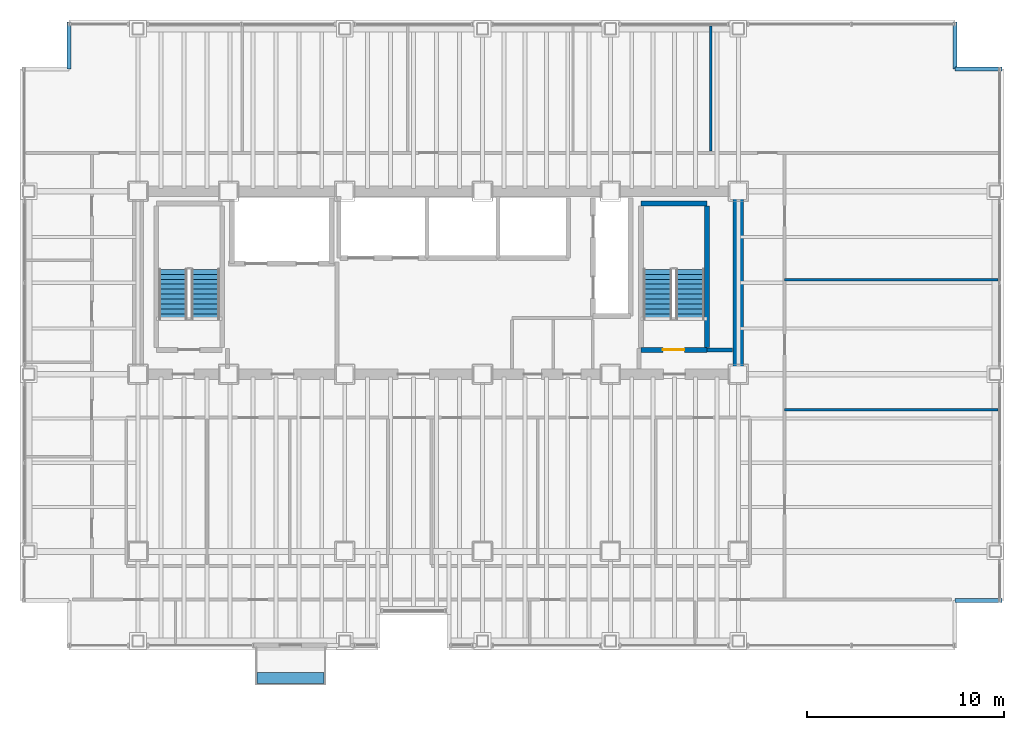
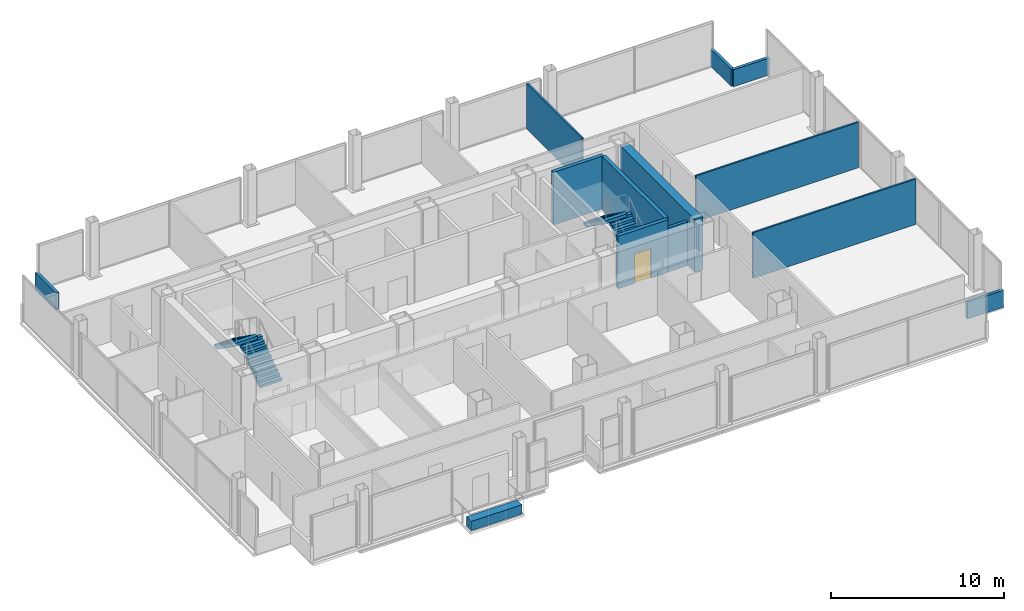
# One storey, part 19 of 20: 12 walls, 4 stair flights, 1 discrete accessory, 1 door, 1 opening, 2 elements without a shape of their own.
"""IFC4 building model written with IfcOpenShell, lengths in metres."""

from ifc_helpers import new_model, si_unit, direction, frame, frame_2d, origin, origin_2d, place, context, subcontext, project, spatial, polyline, rectangle, outline, extrude, material, layer, layer_set, type_object, element, fill, aggregate, save


model = new_model("IFC4")

# Units and contexts
model_context = context("Model", 3, precision=1e-05, world=origin(), true_north=direction((0.0, 1.0)))
body_context = subcontext(model_context, "Body", "Model", "MODEL_VIEW")
ifc_project = project(units=[si_unit("LENGTHUNIT", "METRE"), si_unit("AREAUNIT", "SQUARE_METRE"), si_unit("VOLUMEUNIT", "CUBIC_METRE"), si_unit("PLANEANGLEUNIT", "RADIAN"), si_unit("MASSUNIT", "GRAM", prefix="KILO")], contexts=[model_context])

# Site, building, storey
site_placement = place(None, origin())
site = spatial("IfcSite", under=ifc_project, at=site_placement, CompositionType="ELEMENT")
building_placement = place(site_placement, origin())
building = spatial("IfcBuilding", under=site, at=building_placement, Name="Noeulbin Bourse Tower", CompositionType="ELEMENT")
storey_placement = place(building_placement, frame((0.0, 0.0, 61.60009765625)))
storey = spatial("IfcBuildingStorey", under=building, at=storey_placement, Name="L15", CompositionType="ELEMENT", Elevation=61.60009765625)

# Walls
ifc_material_1 = material(Name="Concrete C60/75", Category="concrete")
ifc_layer_1 = layer(ifc_material_1, 0.550048828125)
ifc_layer_set_1 = layer_set([ifc_layer_1], Name="Concrete C60/75")
wall_type_1 = type_object("IfcWallType", Name="WAL-CORE-550", PredefinedType="SHEAR", material=ifc_layer_set_1)
wall_1_placement = place(storey_placement, frame((44.0, 29.35009765625, 0.0), z_axis=(0.0, 0.0, 1.0), x_axis=(0.0, 1.0, 0.0)))
element("IfcWall", 1, at=wall_1_placement, inside=storey, type_object=wall_type_1, Name="Rear Core East Shear Wall L15", PredefinedType="SHEAR", context=body_context, shape_type="SweptSolid", body=[
    extrude(rectangle(XDim=8.599853515625, YDim=0.550048828125, at=frame_2d((4.2998046875, 0.0))), origin(), (0.0, 0.0, 1.0), 3.719970703125),
])
ifc_material_2 = material(Name="Concrete C40/50", Category="concrete")
ifc_layer_2 = layer(ifc_material_2, 0.199951171875)
ifc_layer_set_2 = layer_set([ifc_layer_2], Name="Concrete C40/50")
wall_type_2 = type_object("IfcWallType", Name="WAL-FIRE-200", PredefinedType="STANDARD", material=ifc_layer_set_2)
wall_2_placement = place(storey_placement, frame((42.39990234375, 30.239990234375, 0.0), z_axis=(0.0, 0.0, 1.0), x_axis=(1.0, 0.0, 0.0)))
element("IfcWall", 2, at=wall_2_placement, inside=storey, type_object=wall_type_2, Name="Interior Partition Wall L15-01", PredefinedType="STANDARD", context=body_context, shape_type="SweptSolid", body=[
    extrude(rectangle(XDim=1.315185546875, YDim=0.199951171875, at=frame_2d((0.65771484375, 0.0))), origin(), (0.0, 0.0, 1.0), 3.099853515625),
])
ifc_layer_3 = layer(ifc_material_2, 0.199951171875)
ifc_layer_set_3 = layer_set([ifc_layer_3], Name="Concrete C40/50")
wall_type_3 = type_object("IfcWallType", Name="WAL-PAR-200", PredefinedType="PARAPET", material=ifc_layer_set_3)
for number, where, z_axis, x_axis, name in (
    (3, (55.0, 17.5, 0.0), (0.0, 0.0, 1.0), (1.0, 0.0, 0.0), "Corner Notch Parapet L15-SE2"),
    (4, (10.0, 44.5, 0.0), (0.0, 0.0, 1.0), (0.0, 1.0, 0.0), "Corner Notch Parapet L15-NW2"),
    (5, (55.0, 46.89990234375, 0.0), (0.0, 0.0, 1.0), (0.0, -1.0, 0.0), "Corner Notch Parapet L15-NE1"),
    (6, (55.0, 44.5, 0.0), (0.0, 0.0, 1.0), (1.0, 0.0, 0.0), "Corner Notch Parapet L15-NE2"),
):
    element("IfcWall", number, at=place(storey_placement, frame(where, z_axis=z_axis, x_axis=x_axis)), inside=storey, type_object=wall_type_3, Name=name, PredefinedType="PARAPET", context=body_context, shape_type="SweptSolid", body=[
        extrude(rectangle(XDim=2.39990234375, YDim=0.199951171875, at=frame_2d((1.199951171875, 0.0))), origin(), (0.0, 0.0, 1.0), 1.199951171875),
    ])
ifc_material_3 = material(Name="Steel Stud Gypsum Partition", Category="steel")
ifc_layer_4 = layer(ifc_material_3, 0.1201171875)
ifc_layer_set_4 = layer_set([ifc_layer_4], Name="Steel Stud Gypsum Partition")
wall_type_4 = type_object("IfcWallType", Name="WAL-PRT-120", PredefinedType="PARTITIONING", material=ifc_layer_set_4)
for number, where, z_axis, x_axis, name in (
    (7, (46.35009765625, 27.199951171875, 0.0), (0.0, 0.0, 1.0), (1.0, 0.0, 0.0), "Interior Partition Wall L15-10"),
    (8, (46.35009765625, 33.800048828125, 0.0), (0.0, 0.0, 1.0), (1.0, 0.0, 0.0), "Interior Partition Wall L15-11"),
):
    element("IfcWall", number, at=place(storey_placement, frame(where, z_axis=z_axis, x_axis=x_axis)), inside=storey, type_object=wall_type_4, Name=name, PredefinedType="PARTITIONING", context=body_context, shape_type="SweptSolid", body=[
        extrude(rectangle(XDim=10.83984375, YDim=0.1201171875, at=frame_2d((5.419921875, 0.0))), origin(), (0.0, 0.0, 1.0), 3.2119140625),
    ])
wall_3_placement = place(storey_placement, frame((42.60009765625, 40.3349609375, 0.0), z_axis=(0.0, 0.0, 1.0), x_axis=(0.0, 1.0, 0.0)))
element("IfcWall", 9, at=wall_3_placement, inside=storey, type_object=wall_type_4, Name="Interior Partition Wall L15-35", PredefinedType="PARTITIONING", context=body_context, shape_type="SweptSolid", body=[
    extrude(rectangle(XDim=6.35498046875, YDim=0.1201171875, at=frame_2d((3.177490234375, 0.0))), origin(), (0.0, 0.0, 1.0), 3.2119140625),
])

# Wall, opening, door
ifc_layer_5 = layer(ifc_material_2, 0.25)
ifc_layer_set_5 = layer_set([ifc_layer_5], Name="Concrete C40/50")
wall_type_5 = type_object("IfcWallType", Name="WAL-SHFT-250", PredefinedType="STANDARD", material=ifc_layer_set_5)
wall_4_placement = place(storey_placement, frame((39.06005859375, 30.235107421875, 0.0), z_axis=(0.0, 0.0, 1.0), x_axis=(1.0, 0.0, 0.0)))
wall_4 = element("IfcWall", 10, at=wall_4_placement, inside=storey, type_object=wall_type_5, Name="Stair ST-2 South Shaft Wall L15", PredefinedType="STANDARD", context=body_context, shape_type="SweptSolid", body=[
    extrude(rectangle(XDim=3.33984375, YDim=0.25, at=frame_2d((1.669921875, 0.0))), origin(), (0.0, 0.0, 1.0), 3.719970703125),
])
opening_placement = place(wall_4_placement, frame((1.10009765625, 0.0, 0.0)))
opening = element("IfcOpeningElement", 11, at=opening_placement, cuts=wall_4, Name="Opening FD-11", PredefinedType="OPENING", context=body_context, shape_type="SweptSolid", body=[
    extrude(rectangle(XDim=1.10009765625, YDim=2.080078125, at=frame_2d((0.550048828125, 1.0400390625))), frame((0.0, 0.135009765625, 0.0), z_axis=(0.0, -1.0, 0.0), x_axis=(1.0, 0.0, 0.0)), (0.0, 0.0, 1.0), 0.27001953125),
])
ifc_material_4 = material(Name="Fire-Rated Insulated Steel", Category="steel")
door_type = type_object("IfcDoorType", Name="DR-FD60-1100", OperationType="SINGLE_SWING_LEFT", PredefinedType="DOOR", material=ifc_material_4)
door_placement = place(opening_placement, origin())
door = element("IfcDoor", 12, at=door_placement, inside=storey, type_object=door_type, Name="Protected Stair Entry Door ST2-L15", OperationType="SINGLE_SWING_RIGHT", OverallHeight=2.080078125, OverallWidth=1.10009765625, PredefinedType="DOOR", context=body_context, shape_type="SweptSolid", body=[
    extrude(rectangle(XDim=1.10009765625, YDim=2.080078125, at=frame_2d((0.550048828125, 1.0400390625))), frame((0.0, 0.02490234375, 0.0), z_axis=(0.0, -1.0, 0.0), x_axis=(1.0, 0.0, 0.0)), (0.0, 0.0, 1.0), 0.050048828125),
])
fill(opening, door)

# Walls
wall_5_placement = place(storey_placement, frame((39.06005859375, 37.6689453125, 0.0), z_axis=(0.0, 0.0, 1.0), x_axis=(1.0, 0.0, 0.0)))
element("IfcWall", 13, at=wall_5_placement, inside=storey, type_object=wall_type_5, Name="Stair ST-2 North Shaft Wall L15", PredefinedType="STANDARD", context=body_context, shape_type="SweptSolid", body=[
    extrude(rectangle(XDim=3.33984375, YDim=0.25, at=frame_2d((1.669921875, 0.0))), origin(), (0.0, 0.0, 1.0), 3.719970703125),
])
wall_6_placement = place(storey_placement, frame((42.405029296875, 30.360107421875, 0.0), z_axis=(0.0, 0.0, 1.0), x_axis=(0.0, 1.0, 0.0)))
element("IfcWall", 14, at=wall_6_placement, inside=storey, type_object=wall_type_5, Name="Stair ST-2 East Shaft Wall L15", PredefinedType="STANDARD", context=body_context, shape_type="SweptSolid", body=[
    extrude(rectangle(XDim=7.183837890625, YDim=0.25, at=frame_2d((3.591796875, 0.0))), origin(), (0.0, 0.0, 1.0), 3.719970703125),
])

# Stair, stair flights
stair_type = type_object("IfcStairType", Name="STR-CORE-1560", PredefinedType="HALF_TURN_STAIR", material=ifc_material_2)
stair_1_placement = place(storey_placement, origin())
stair_1 = element("IfcStair", 15, at=stair_1_placement, inside=storey, type_object=stair_type, Name="L15 ST-1", PredefinedType="HALF_TURN_STAIR")
stair_flight_type = type_object("IfcStairFlightType", Name="SFL-CORE-1560", PredefinedType="STRAIGHT", material=ifc_material_2)
stair_flight_1_placement = place(storey_placement, frame((16.925048828125, 31.81005859375, 0.0), z_axis=(0.0, 0.0, 1.0), x_axis=(0.0, 1.0, 0.0)))
stair_flight_1 = element("IfcStairFlight", 16, at=stair_flight_1_placement, type_object=stair_flight_type, Name="ST-1 flight 1", NumberOfRisers=11, NumberOfTreads=10, PredefinedType="STRAIGHT", RiserHeight=0.177272727, TreadLength=0.252, context=body_context, shape_type="SweptSolid", body=[
    extrude(outline(polyline([(0.0, 0.0), (0.0, 0.17724609375), (0.251953125, 0.17724609375), (0.251953125, 0.3544921875), (0.50390625, 0.3544921875), (0.50390625, 0.53173828125), (0.756103515625, 0.53173828125), (0.756103515625, 0.708984375), (1.008056640625, 0.708984375), (1.008056640625, 0.886474609375), (1.260009765625, 0.886474609375), (1.260009765625, 1.063720703125), (1.511962890625, 1.063720703125), (1.511962890625, 1.240966796875), (1.763916015625, 1.240966796875), (1.763916015625, 1.418212890625), (2.01611328125, 1.418212890625), (2.01611328125, 1.595458984375), (2.26806640625, 1.595458984375), (2.26806640625, 1.772705078125), (2.52001953125, 1.772705078125), (2.52001953125, 1.949951171875), (2.52001953125, 1.552734375), (0.312744140625, 0.0), (0.0, 0.0)])), frame((0.0, 0.72509765625, 0.0), z_axis=(0.0, -1.0, 0.0), x_axis=(1.0, 0.0, 0.0)), (0.0, 0.0, 1.0), 1.449951171875),
])
stair_flight_2_placement = place(storey_placement, frame((15.27490234375, 34.330078125, 1.949951171875), z_axis=(0.0, 0.0, 1.0), x_axis=(0.0, -1.0, 0.0)))
stair_flight_2 = element("IfcStairFlight", 17, at=stair_flight_2_placement, type_object=stair_flight_type, Name="ST-1 flight 2", NumberOfRisers=11, NumberOfTreads=10, PredefinedType="STRAIGHT", RiserHeight=0.177272727, TreadLength=0.252, context=body_context, shape_type="SweptSolid", body=[
    extrude(outline(polyline([(0.0, 0.0), (0.0, 0.17724609375), (0.251953125, 0.17724609375), (0.251953125, 0.3544921875), (0.50390625, 0.3544921875), (0.50390625, 0.53173828125), (0.756103515625, 0.53173828125), (0.756103515625, 0.708984375), (1.008056640625, 0.708984375), (1.008056640625, 0.886474609375), (1.260009765625, 0.886474609375), (1.260009765625, 1.063720703125), (1.511962890625, 1.063720703125), (1.511962890625, 1.240966796875), (1.763916015625, 1.240966796875), (1.763916015625, 1.418212890625), (2.01611328125, 1.418212890625), (2.01611328125, 1.595458984375), (2.26806640625, 1.595458984375), (2.26806640625, 1.772705078125), (2.52001953125, 1.772705078125), (2.52001953125, 1.949951171875), (2.52001953125, 1.552734375), (0.312744140625, 0.0), (0.0, 0.0)])), frame((0.0, 0.72509765625, 0.0), z_axis=(0.0, -1.0, 0.0), x_axis=(1.0, 0.0, 0.0)), (0.0, 0.0, 1.0), 1.449951171875),
])
aggregate(stair_1, [stair_flight_1, stair_flight_2])

stair_2_placement = place(storey_placement, origin())
stair_2 = element("IfcStair", 18, at=stair_2_placement, inside=storey, type_object=stair_type, Name="L15 ST-2", PredefinedType="HALF_TURN_STAIR")
stair_flight_3_placement = place(storey_placement, frame((41.554931640625, 31.81005859375, 0.0), z_axis=(0.0, 0.0, 1.0), x_axis=(0.0, 1.0, 0.0)))
stair_flight_3 = element("IfcStairFlight", 19, at=stair_flight_3_placement, type_object=stair_flight_type, Name="ST-2 flight 1", NumberOfRisers=11, NumberOfTreads=10, PredefinedType="STRAIGHT", RiserHeight=0.177272727, TreadLength=0.252, context=body_context, shape_type="SweptSolid", body=[
    extrude(outline(polyline([(0.0, 0.0), (0.0, 0.17724609375), (0.251953125, 0.17724609375), (0.251953125, 0.3544921875), (0.50390625, 0.3544921875), (0.50390625, 0.53173828125), (0.756103515625, 0.53173828125), (0.756103515625, 0.708984375), (1.008056640625, 0.708984375), (1.008056640625, 0.886474609375), (1.260009765625, 0.886474609375), (1.260009765625, 1.063720703125), (1.511962890625, 1.063720703125), (1.511962890625, 1.240966796875), (1.763916015625, 1.240966796875), (1.763916015625, 1.418212890625), (2.01611328125, 1.418212890625), (2.01611328125, 1.595458984375), (2.26806640625, 1.595458984375), (2.26806640625, 1.772705078125), (2.52001953125, 1.772705078125), (2.52001953125, 1.949951171875), (2.52001953125, 1.552734375), (0.312744140625, 0.0), (0.0, 0.0)])), frame((0.0, 0.72509765625, 0.0), z_axis=(0.0, -1.0, 0.0), x_axis=(1.0, 0.0, 0.0)), (0.0, 0.0, 1.0), 1.449951171875),
])
stair_flight_4_placement = place(storey_placement, frame((39.905029296875, 34.330078125, 1.949951171875), z_axis=(0.0, 0.0, 1.0), x_axis=(0.0, -1.0, 0.0)))
stair_flight_4 = element("IfcStairFlight", 20, at=stair_flight_4_placement, type_object=stair_flight_type, Name="ST-2 flight 2", NumberOfRisers=11, NumberOfTreads=10, PredefinedType="STRAIGHT", RiserHeight=0.177272727, TreadLength=0.252, context=body_context, shape_type="SweptSolid", body=[
    extrude(outline(polyline([(0.0, 0.0), (0.0, 0.17724609375), (0.251953125, 0.17724609375), (0.251953125, 0.3544921875), (0.50390625, 0.3544921875), (0.50390625, 0.53173828125), (0.756103515625, 0.53173828125), (0.756103515625, 0.708984375), (1.008056640625, 0.708984375), (1.008056640625, 0.886474609375), (1.260009765625, 0.886474609375), (1.260009765625, 1.063720703125), (1.511962890625, 1.063720703125), (1.511962890625, 1.240966796875), (1.763916015625, 1.240966796875), (1.763916015625, 1.418212890625), (2.01611328125, 1.418212890625), (2.01611328125, 1.595458984375), (2.26806640625, 1.595458984375), (2.26806640625, 1.772705078125), (2.52001953125, 1.772705078125), (2.52001953125, 1.949951171875), (2.52001953125, 1.552734375), (0.312744140625, 0.0), (0.0, 0.0)])), frame((0.0, 0.72509765625, 0.0), z_axis=(0.0, -1.0, 0.0), x_axis=(1.0, 0.0, 0.0)), (0.0, 0.0, 1.0), 1.449951171875),
])
aggregate(stair_2, [stair_flight_3, stair_flight_4])

# Discrete accessory
ifc_material_5 = material(Name="Architectural GFRC Concrete C40/50", Category="concrete")
ifc_layer_6 = layer(ifc_material_5, 0.64990234375)
ifc_layer_set_6 = layer_set([ifc_layer_6], Name="Architectural GFRC Concrete C40/50")
discrete_accessory_type = type_object("IfcDiscreteAccessoryType", Name="PLANTER-BOX-3600", PredefinedType="USERDEFINED", material=ifc_layer_set_6)
discrete_accessory_placement = place(storey_placement, frame((21.25, 13.56005859375, 0.0), z_axis=(0.0, 0.0, 1.0), x_axis=(1.0, 0.0, 0.0)))
element("IfcDiscreteAccessory", 21, at=discrete_accessory_placement, inside=storey, type_object=discrete_accessory_type, Name="Integrated Balcony Tree Planter Box L15", ObjectType="PLANTER", PredefinedType="USERDEFINED", context=body_context, shape_type="SweptSolid", body=[
    extrude(rectangle(XDim=3.39990234375, YDim=0.550048828125, at=origin_2d()), origin(), (0.0, 0.0, 1.0), 0.64990234375),
])

save(model, "model.ifc")
